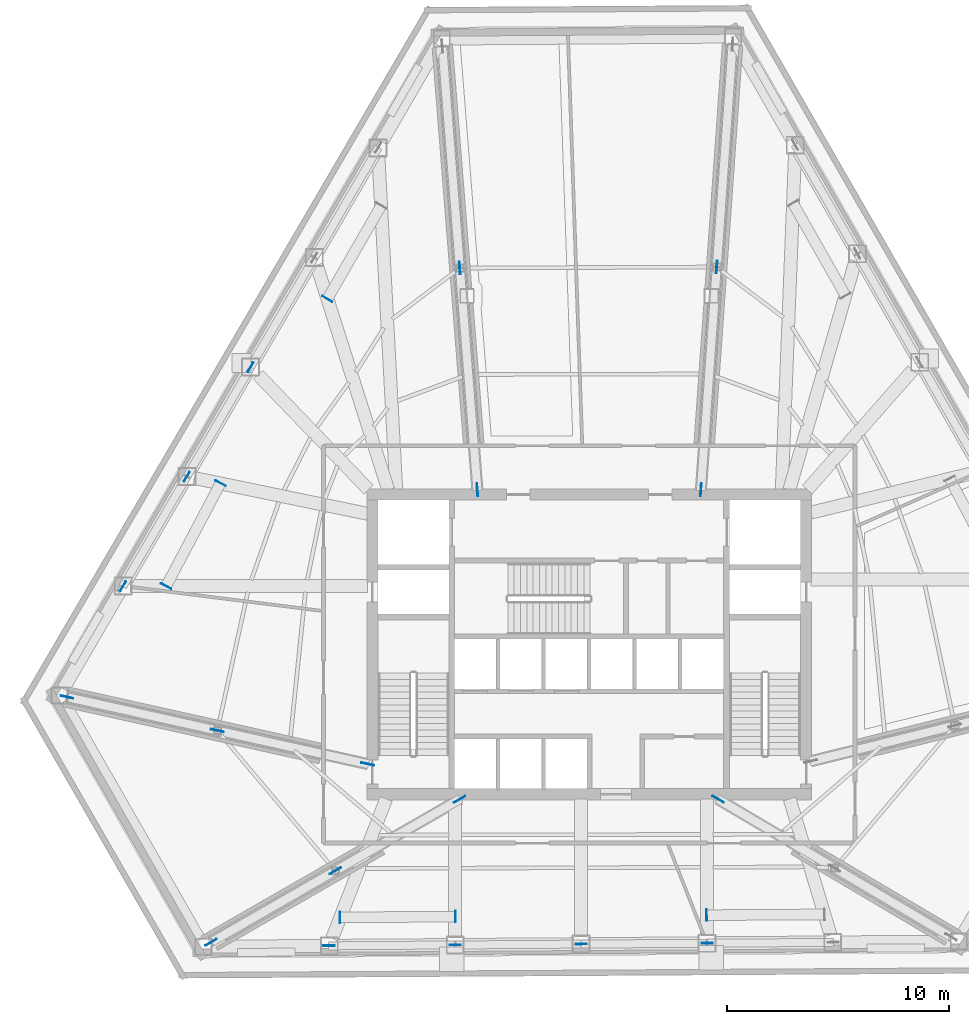
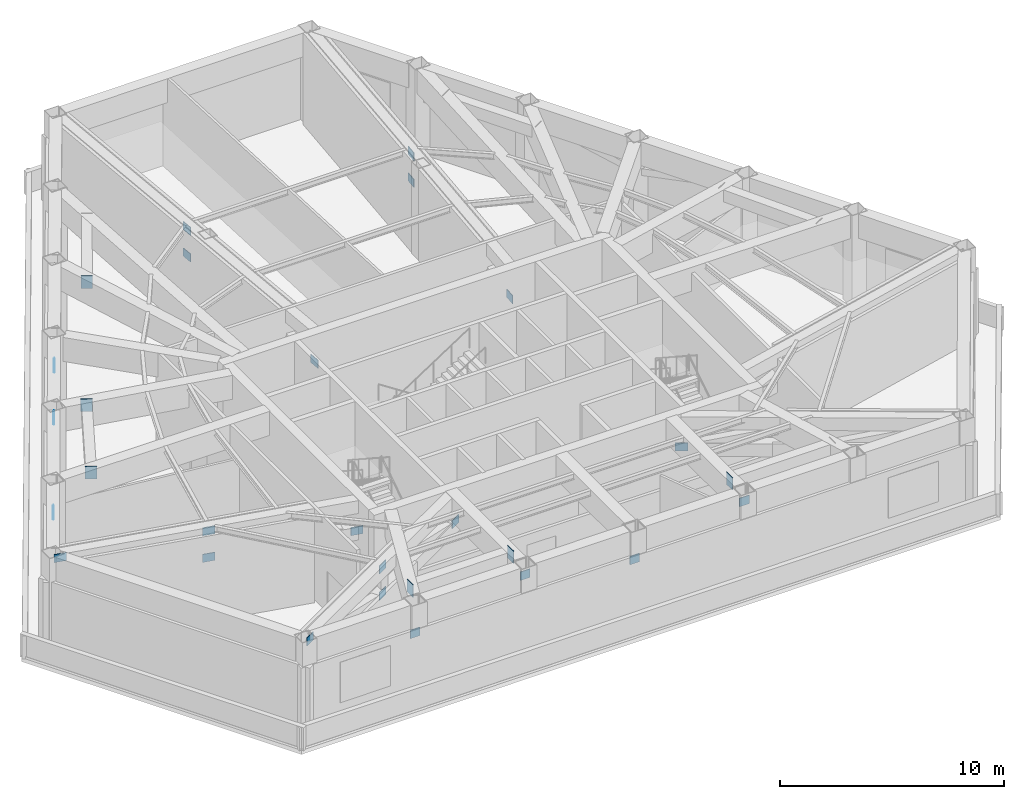
# One storey, part 5 of 12: 28 plates.
"""IFC4 building model written with IfcOpenShell, lengths in metres."""

import ifcopenshell
import ifcopenshell.guid

model = None  # the IFC model being written
_history = None  # IfcOwnerHistory: only IFC2X3 demands one
_inside = {}  # id of a spatial element -> (the spatial element, [elements in it])
_under = {}  # id of a project, library or spatial element -> (it, [spatial elements below it])
_declared = {}  # id of a project -> (the project, [libraries it declares])
_typed = {}  # id of a type object -> (the type object, [elements of that type])
_made_of = {}  # id of a material, layer set ... -> (it, [elements and type objects made of it])


def new_model(schema):
    """Start an empty IFC model of exactly this schema.

    Asked for "IFC4X3", IfcOpenShell would pick the latest addendum, in which some entities
    have other attributes; the version numbers below select the first issue.
    IFC2X3 requires an IfcOwnerHistory on every rooted entity: one is made here for all.
    """
    global model, _history
    if schema == "IFC4X3":
        model = ifcopenshell.file(schema_version=(4, 3, 0, 0))
    else:
        model = ifcopenshell.file(schema=schema)
    _inside.clear()
    _under.clear()
    _declared.clear()
    _typed.clear()
    _made_of.clear()
    _history = None
    if model.schema == "IFC2X3":
        org = make("IfcOrganization", Name="unknown")
        user = make(
            "IfcPersonAndOrganization",
            ThePerson=make("IfcPerson", FamilyName="unknown"),
            TheOrganization=org,
        )
        app = make(
            "IfcApplication",
            ApplicationDeveloper=org,
            Version="unknown",
            ApplicationFullName="unknown",
            ApplicationIdentifier="unknown",
        )
        _history = make(
            "IfcOwnerHistory",
            OwningUser=user,
            OwningApplication=app,
            ChangeAction="ADDED",
            CreationDate=0,
        )
    return model


def make(cls, **values):
    """One entity of the class cls with the attributes given. An attribute that is None is left unset."""
    return model.create_entity(
        cls, **{name: value for name, value in values.items() if value is not None}
    )


def rooted(cls, **values):
    """An entity with a GlobalId (a new one), such as an element, a storey or a relation."""
    return make(cls, GlobalId=ifcopenshell.guid.new(), OwnerHistory=_history, **values)


def si_unit(unit_type, name, prefix=None):
    """IfcSIUnit, for example si_unit("LENGTHUNIT", "METRE", prefix="MILLI")."""
    return make("IfcSIUnit", UnitType=unit_type, Prefix=prefix, Name=name)


def assignment(units):
    """IfcUnitAssignment: the units of a project."""
    return None if units is None else make("IfcUnitAssignment", Units=units)


def point(xyz):
    """IfcCartesianPoint."""
    return None if xyz is None else make("IfcCartesianPoint", Coordinates=xyz)


def direction(xyz):
    """IfcDirection."""
    return None if xyz is None else make("IfcDirection", DirectionRatios=xyz)


def frame(location, z_axis=None, x_axis=None):
    """IfcAxis2Placement3D, a coordinate frame: its origin and axes. An axis left out is left unset."""
    return make(
        "IfcAxis2Placement3D",
        Location=point(location),
        Axis=direction(z_axis),
        RefDirection=direction(x_axis),
    )


def frame_2d(location, x_axis=None):
    """IfcAxis2Placement2D, a coordinate frame in the plane: its origin and x axis."""
    return make(
        "IfcAxis2Placement2D", Location=point(location), RefDirection=direction(x_axis)
    )


def origin():
    """The frame at (0, 0, 0) with its axes left unset."""
    return frame((0.0, 0.0, 0.0))


def origin_2d():
    """The frame at (0, 0) in the plane with its x axis left unset."""
    return frame_2d((0.0, 0.0))


def place(relative_to, where):
    """IfcLocalPlacement: puts the frame where relative to a parent placement (None: the world)."""
    return make(
        "IfcLocalPlacement", PlacementRelTo=relative_to, RelativePlacement=where
    )


def context(
    kind, dimensions, precision=None, world=None, true_north=None, identifier=None
):
    """IfcGeometricRepresentationContext, for example the 3D "Model" context."""
    return make(
        "IfcGeometricRepresentationContext",
        ContextIdentifier=identifier,
        ContextType=kind,
        CoordinateSpaceDimension=dimensions,
        Precision=precision,
        WorldCoordinateSystem=world,
        TrueNorth=true_north,
    )


def subcontext(parent, identifier, kind, view, scale=None):
    """IfcGeometricRepresentationSubContext, for example "Body" below "Model"."""
    return make(
        "IfcGeometricRepresentationSubContext",
        ContextIdentifier=identifier,
        ContextType=kind,
        ParentContext=parent,
        TargetScale=scale,
        TargetView=view,
    )


def project(units=None, contexts=None):
    """IfcProject with its units and contexts."""
    return rooted(
        "IfcProject",
        Name="project",
        RepresentationContexts=contexts,
        UnitsInContext=assignment(units),
    )


def spatial(cls, under=None, at=None, **own):
    """A site, building, storey or space (cls), placed at a placement, below another one or the project."""
    s = rooted(cls, ObjectPlacement=at, **own)
    if under is not None:
        _under.setdefault(under.id(), (under, []))[1].append(s)
    return s


def profile(cls, at=None, kind="AREA", **sizes):
    """A parametric profile (cls). Its sizes go by their IFC names, for example OverallWidth=200.0."""
    return make(cls, ProfileType=kind, Position=at, **sizes)


def rectangle(**sizes):
    """IfcRectangleProfileDef."""
    return profile("IfcRectangleProfileDef", **sizes)


def extrude(swept, where, along, depth):
    """IfcExtrudedAreaSolid: the profile swept, set in the frame where, extruded along a direction by depth."""
    return make(
        "IfcExtrudedAreaSolid",
        SweptArea=swept,
        Position=where,
        ExtrudedDirection=direction(along),
        Depth=depth,
    )


def shape(context_of_items, identifier, shape_type, items):
    """IfcShapeRepresentation: the items that make up one representation, for example the "Body"."""
    return make(
        "IfcShapeRepresentation",
        ContextOfItems=context_of_items,
        RepresentationIdentifier=identifier,
        RepresentationType=shape_type,
        Items=items,
    )


def material(Name=None, Category=None):
    """IfcMaterial."""
    return make("IfcMaterial", Name=Name, Category=Category)


def layer(
    of_material, thickness, ventilated=None, Name=None, Category=None, Priority=None
):
    """IfcMaterialLayer: one layer of a wall or slab, of a material (None: an air gap)."""
    return make(
        "IfcMaterialLayer",
        Material=of_material,
        LayerThickness=thickness,
        IsVentilated=ventilated,
        Name=Name,
        Category=Category,
        Priority=Priority,
    )


def layer_set(layers, Name=None):
    """IfcMaterialLayerSet."""
    return make("IfcMaterialLayerSet", MaterialLayers=layers, LayerSetName=Name)


def made_of(thing, what):
    """Note that an element or type object is made of a material, layer set ...; save() writes the relation."""
    if what is not None:
        _made_of.setdefault(what.id(), (what, []))[1].append(thing)
    return thing


def type_object(cls, material=None, **own):
    """A type object (cls), such as IfcWallType, which elements share."""
    return made_of(rooted(cls, **own), material)


def element(
    cls,
    number,
    at=None,
    inside=None,
    cuts=None,
    type_object=None,
    material=None,
    context=None,
    identifier="Body",
    shape_type=None,
    held_by="IfcProductDefinitionShape",
    body=None,
    shapes=None,
    **own,
):
    """One element of the class cls, such as IfcWall. Its Tag is "e" and its number.

    at: its placement. inside: the storey or other place that contains it. cuts: it is an
    opening in that element (IfcRelVoidsElement). A single representation is given by context,
    identifier, shape_type and body (its items); several are given by shapes. held_by: the class
    of the entity that holds the representations. save() writes the other relations.
    """
    e = rooted(cls, Tag="e%d" % number, ObjectPlacement=at, **own)
    if body is not None:
        shapes = [shape(context, identifier, shape_type, body)]
    if shapes is not None:
        e.Representation = make(held_by, Representations=shapes)
    if inside is not None:
        _inside.setdefault(inside.id(), (inside, []))[1].append(e)
    if cuts is not None:
        rooted(
            "IfcRelVoidsElement", RelatingBuildingElement=cuts, RelatedOpeningElement=e
        )
    if type_object is not None:
        _typed.setdefault(type_object.id(), (type_object, []))[1].append(e)
    return made_of(e, material)


def aggregate(whole, parts):
    """IfcRelAggregates: a whole, such as a stair, and the parts it consists of."""
    return rooted("IfcRelAggregates", RelatingObject=whole, RelatedObjects=parts)


def save(model, path):
    """Write the relations noted so far, then the file.

    IfcRelAggregates (storeys below a building ...), IfcRelContainedInSpatialStructure (elements
    in a storey), IfcRelDefinesByType, IfcRelAssociatesMaterial and IfcRelDeclares: one each for
    every whole, place, type object, material and project.
    """
    for whole, parts in _under.values():
        aggregate(whole, parts)
    for where, things in _inside.values():
        rooted(
            "IfcRelContainedInSpatialStructure",
            RelatedElements=things,
            RelatingStructure=where,
        )
    for kind, things in _typed.values():
        rooted("IfcRelDefinesByType", RelatedObjects=things, RelatingType=kind)
    for what, things in _made_of.values():
        rooted("IfcRelAssociatesMaterial", RelatedObjects=things, RelatingMaterial=what)
    for by, libraries in _declared.values():
        rooted("IfcRelDeclares", RelatingContext=by, RelatedDefinitions=libraries)
    model.write(path)


model = new_model("IFC4")

# Units and contexts
model_context = context("Model", 3, precision=1e-05, world=origin(), true_north=direction((0.0, 1.0)))
body_context = subcontext(model_context, "Body", "Model", "MODEL_VIEW")
ifc_project = project(units=[si_unit("LENGTHUNIT", "METRE"), si_unit("AREAUNIT", "SQUARE_METRE"), si_unit("VOLUMEUNIT", "CUBIC_METRE"), si_unit("PLANEANGLEUNIT", "RADIAN"), si_unit("MASSUNIT", "GRAM", prefix="KILO")], contexts=[model_context])

# Site, building, storey
site_placement = place(None, origin())
site = spatial("IfcSite", under=ifc_project, at=site_placement, CompositionType="ELEMENT")
building_placement = place(site_placement, origin())
building = spatial("IfcBuilding", under=site, at=building_placement, Name="Kavelnor Concourse Tower", CompositionType="ELEMENT")
storey_placement = place(building_placement, frame((0.0, 0.0, 75.300048828125)))
storey = spatial("IfcBuildingStorey", under=building, at=storey_placement, Name="L19", CompositionType="ELEMENT", Elevation=75.300048828125)

# Plates
ifc_material = material(Name="Steel Grade 350", Category="steel")
ifc_layer_1 = layer(ifc_material, 0.035888671875, Name="Steel Grade 350")
ifc_layer_set_1 = layer_set([ifc_layer_1], Name="Steel Grade 350")
plate_type_1 = type_object("IfcPlateType", Name="PL-GUSSET-OUTRIG", PredefinedType="USERDEFINED", material=ifc_layer_set_1)
for number, where, z_axis, x_axis, name in (
    (1, (32.963623046875, 23.06005859375, 2.9599609375), (0.0, 0.0, 1.0), (-0.078807080738, 0.996889885607, 0.0), "L19 Outrigger Truss Node Gusset Plate GP2 F0A-B0"),
    (2, (32.1728515625, 33.053955078125, 2.9599609375), (0.0, 0.0, 1.0), (-0.078807080738, 0.996889885607, 0.0), "L19 Outrigger Truss Node Gusset Plate GP2 F0A-MB"),
    (3, (32.1728515625, 33.053955078125, 4.405029296875), (0.0, 0.0, 1.0), (-0.078807080738, 0.996889885607, 0.0), "L19 Outrigger Truss Node Gusset Plate GP2 F0A-MT"),
    (4, (28.01904296875, 10.709228515625, 2.9599609375), (0.0, 0.0, 1.0), (-0.976106756203, 0.217291510406, 0.0), "L19 Outrigger Truss Node Gusset Plate GP2 F0B-B0"),
    (5, (21.248779296875, 12.216796875, 2.9599609375), (0.0, 0.0, 1.0), (-0.976106756203, 0.217291510406, 0.0), "L19 Outrigger Truss Node Gusset Plate GP2 F0B-MB"),
    (6, (21.248779296875, 12.216796875, 4.405029296875), (0.0, 0.0, 1.0), (-0.976106756203, 0.217291510406, 0.0), "L19 Outrigger Truss Node Gusset Plate GP2 F0B-MT"),
    (7, (14.478759765625, 13.724609375, 4.405029296875), (0.0, 0.0, 1.0), (-0.976106756203, 0.217291510406, 0.0), "L19 Outrigger Truss Node Gusset Plate GP2 F0B-B1"),
    (8, (32.1650390625, 9.119873046875, 2.9599609375), (0.0, 0.0, 1.0), (-0.866896748936, -0.498487739754, 0.0), "L19 Outrigger Truss Node Gusset Plate GP2 F1A-B0"),
    (9, (26.565185546875, 5.900390625, 2.9599609375), (0.0, 0.0, 1.0), (-0.866896748936, -0.498487739754, 0.0), "L19 Outrigger Truss Node Gusset Plate GP2 F1A-MB"),
    (10, (26.565185546875, 5.900390625, 4.405029296875), (0.0, 0.0, 1.0), (-0.866896748936, -0.498487739754, 0.0), "L19 Outrigger Truss Node Gusset Plate GP2 F1A-MT"),
    (11, (20.965576171875, 2.680908203125, 4.405029296875), (0.0, 0.0, 1.0), (-0.866896748936, -0.498487739754, 0.0), "L19 Outrigger Truss Node Gusset Plate GP2 F1A-B1"),
    (12, (43.811279296875, 9.120361328125, 2.9599609375), (0.0, 0.0, 1.0), (0.860830858381, -0.508891180174, 0.0), "L19 Outrigger Truss Node Gusset Plate GP2 F1B-B0"),
    (13, (43.03271484375, 23.06005859375, 2.9599609375), (0.0, 0.0, 1.0), (0.070801081936, 0.997490454489, 0.0), "L19 Outrigger Truss Node Gusset Plate GP2 F2B-B0"),
    (14, (43.74560546875, 33.09912109375, 2.9599609375), (0.0, 0.0, 1.0), (0.070801081936, 0.997490454489, 0.0), "L19 Outrigger Truss Node Gusset Plate GP2 F2B-MB"),
    (15, (43.74560546875, 33.09912109375, 4.405029296875), (0.0, 0.0, 1.0), (0.070801081936, 0.997490454489, 0.0), "L19 Outrigger Truss Node Gusset Plate GP2 F2B-MT"),
):
    element("IfcPlate", number, at=place(storey_placement, frame(where, z_axis=z_axis, x_axis=x_axis)), inside=storey, type_object=plate_type_1, Name=name, ObjectType="GUSSET_PLATE", PredefinedType="USERDEFINED", context=body_context, shape_type="SweptSolid", body=[
        extrude(rectangle(XDim=0.580078125, YDim=0.035888671875, at=origin_2d()), origin(), (0.0, 0.0, 1.0), 0.43994140625),
    ])
for number, where, z_axis, x_axis, name in (
    (16, (22.740478515625, 28.583740234375, 2.949951171875), (0.0, 0.0, 1.0), (0.50286909456, 0.864362582332, 0.0), "L19 Belt Truss Diagonal F0-B2 End Gusset A"),
    (17, (19.870849609375, 23.652587890625, 4.10498046875), (0.0, 0.0, 1.0), (-0.50286909456, -0.864362582332, 0.0), "L19 Belt Truss Diagonal F0-B3 End Gusset B"),
    (18, (17.001220703125, 18.72119140625, 2.949951171875), (0.0, 0.0, 1.0), (0.50301994663, 0.864274801954, 0.0), "L19 Belt Truss Diagonal F0-B4 End Gusset A"),
    (19, (26.27880859375, 2.521240234375, 2.949951171875), (0.0, 0.0, 1.0), (0.999976833935, 0.006806731521, 0.0), "L19 Belt Truss Diagonal F1-B1 End Gusset A"),
    (20, (31.973388671875, 2.560302734375, 4.10498046875), (0.0, 0.0, 1.0), (0.999976833935, 0.006806731521, 0.0), "L19 Belt Truss Diagonal F1-B1 End Gusset B"),
    (21, (37.64404296875, 2.59912109375, 2.949951171875), (0.0, 0.0, 1.0), (-0.999976833935, -0.006806731521, 0.0), "L19 Belt Truss Diagonal F1-B2 End Gusset A"),
    (22, (43.314697265625, 2.63818359375, 4.10498046875), (0.0, 0.0, 1.0), (0.999976833935, 0.006806731521, 0.0), "L19 Belt Truss Diagonal F1-B3 End Gusset B"),
):
    element("IfcPlate", number, at=place(storey_placement, frame(where, z_axis=z_axis, x_axis=x_axis)), inside=storey, type_object=plate_type_1, Name=name, ObjectType="GUSSET_PLATE", PredefinedType="USERDEFINED", context=body_context, shape_type="SweptSolid", body=[
        extrude(rectangle(XDim=0.5, YDim=0.035888671875, at=origin_2d()), origin(), (0.0, 0.0, 1.0), 0.4599609375),
    ])
ifc_layer_2 = layer(ifc_material, 0.02490234375, Name="Steel Grade 350")
ifc_layer_set_2 = layer_set([ifc_layer_2], Name="Steel Grade 350")
plate_type_2 = type_object("IfcPlateType", Name="PL-SPLICE-FLANGE", PredefinedType="SHEET", material=ifc_layer_set_2)
for number, where, z_axis, x_axis, name in (
    (23, (26.202392578125, 31.65576171875, 4.31494140625), (0.0, 0.0, 1.0), (0.866461406284, -0.499244059975, 0.0), "L19 Belt Truss Chord End Cap F0-B1-B"),
    (24, (21.39306640625, 23.360595703125, 4.31494140625), (0.0, 0.0, 1.0), (-0.884255160376, 0.467004080655, 0.0), "L19 Belt Truss Chord End Cap F0-B4-A"),
    (25, (18.943115234375, 18.721923828125, 4.31494140625), (0.0, 0.0, 1.0), (0.884255160376, -0.467004080655, 0.0), "L19 Belt Truss Chord End Cap F0-B4-B"),
    (26, (26.77685546875, 3.804931640625, 4.31494140625), (0.0, 0.0, 1.0), (0.006108614391, -0.999981342241, 0.0), "L19 Belt Truss Chord End Cap F1-B1-A"),
    (27, (31.972412109375, 3.836181640625, 4.31494140625), (0.0, 0.0, 1.0), (-0.006108614391, 0.999981342241, 0.0), "L19 Belt Truss Chord End Cap F1-B1-B"),
    (28, (43.29150390625, 3.902099609375, 4.31494140625), (0.0, 0.0, 1.0), (0.006457673349, -0.99997914901, 0.0), "L19 Belt Truss Chord End Cap F1-B4-A"),
):
    element("IfcPlate", number, at=place(storey_placement, frame(where, z_axis=z_axis, x_axis=x_axis)), inside=storey, type_object=plate_type_2, Name=name, PredefinedType="SHEET", context=body_context, shape_type="SweptSolid", body=[
        extrude(rectangle(XDim=0.52001953125, YDim=0.028076171875, at=origin_2d()), origin(), (0.0, 0.0, 1.0), 0.68994140625),
    ])

save(model, "model.ifc")
